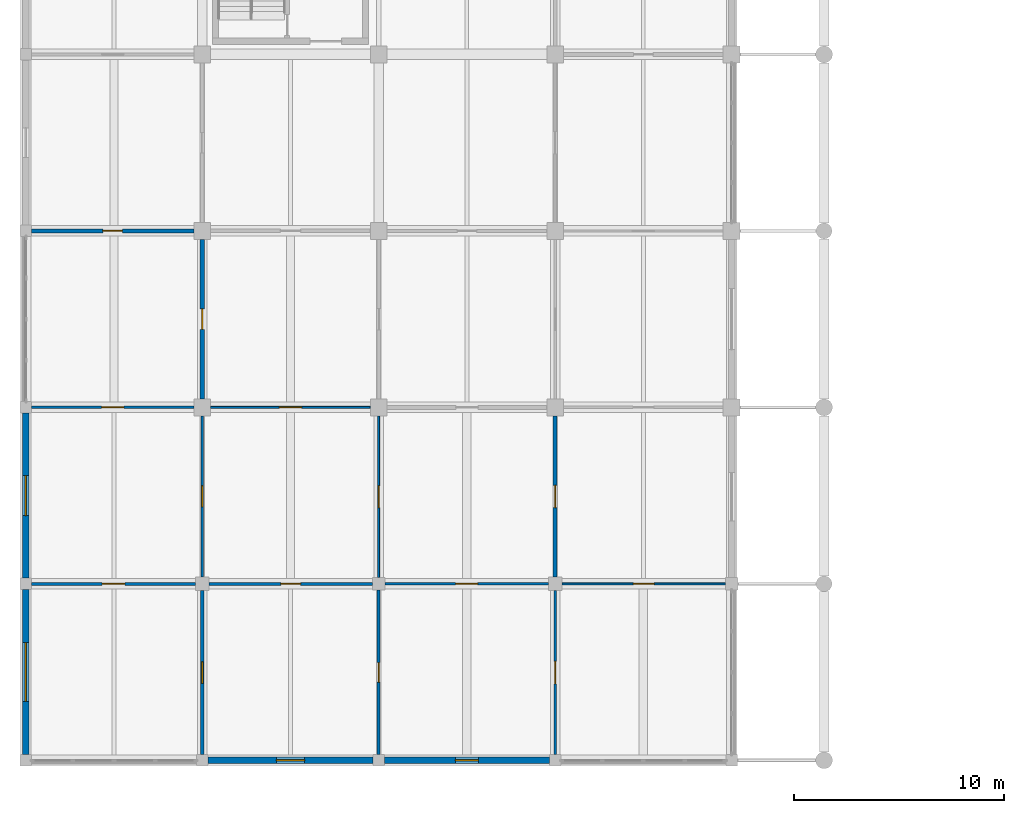
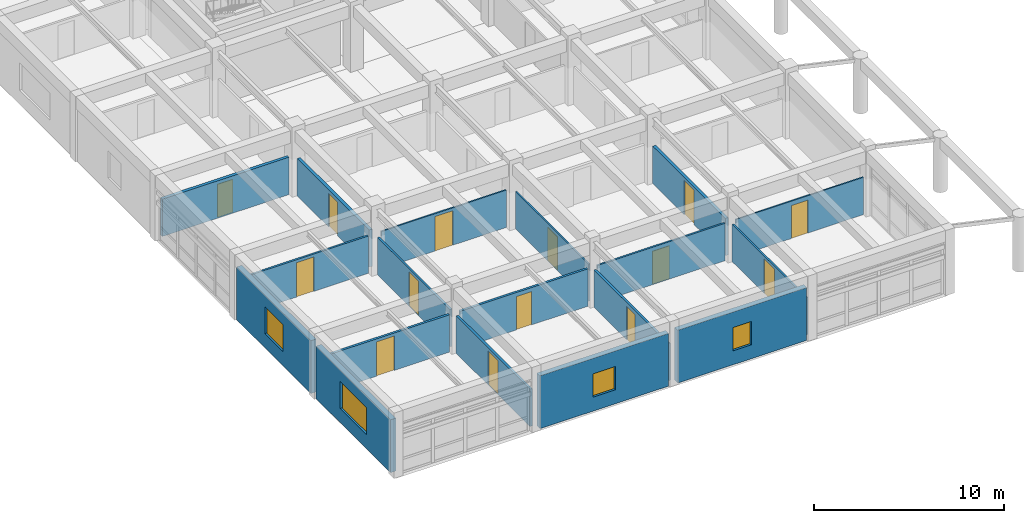
# One storey, part 79 of 99: 18 walls, 14 doors, 4 windows, 18 openings.
"""IFC4 building model written with IfcOpenShell, lengths in metres."""

from ifc_helpers import new_model, si_unit, direction, frame, frame_2d, origin, place, context, subcontext, project, spatial, rectangle, extrude, material, layer, layer_set, type_object, element, fill, save


model = new_model("IFC4")

# Units and contexts
model_context = context("Model", 3, precision=1e-05, world=origin(), true_north=direction((0.0, 1.0)))
body_context = subcontext(model_context, "Body", "Model", "MODEL_VIEW")
ifc_project = project(units=[si_unit("LENGTHUNIT", "METRE"), si_unit("AREAUNIT", "SQUARE_METRE"), si_unit("VOLUMEUNIT", "CUBIC_METRE"), si_unit("PLANEANGLEUNIT", "RADIAN"), si_unit("MASSUNIT", "GRAM", prefix="KILO")], contexts=[model_context])

# Site, building, storey
site_placement = place(None, origin())
site = spatial("IfcSite", under=ifc_project, at=site_placement, CompositionType="ELEMENT")
building_placement = place(site_placement, origin())
building = spatial("IfcBuilding", under=site, at=building_placement, Name="Porcellanite Civic Hall", CompositionType="ELEMENT")
storey_placement = place(building_placement, frame((0.0, 0.0, 5.760009765625)))
storey = spatial("IfcBuildingStorey", under=building, at=storey_placement, Name="L01", CompositionType="ELEMENT", Elevation=5.760009765625)

# Wall, opening, window
ifc_material_1 = material(Name="Precast concrete N40 (40 MPa)", Category="concrete")
ifc_layer_1 = layer(ifc_material_1, 0.320068359375)
ifc_layer_set_1 = layer_set([ifc_layer_1], Name="Precast concrete N40 (40 MPa)")
wall_type_1 = type_object("IfcWallType", Name="EW-COM320", PredefinedType="SOLIDWALL", material=ifc_layer_set_1)
wall_1_placement = place(storey_placement, frame((0.0, 0.27587890625, 0.0), z_axis=(0.0, 0.0, 1.0), x_axis=(0.0, 1.0, 0.0)))
wall_1 = element("IfcWall", 1, at=wall_1_placement, inside=storey, type_object=wall_type_1, Name="Exterior wall L01 W 1-1", PredefinedType="SOLIDWALL", context=body_context, shape_type="SweptSolid", body=[
    extrude(rectangle(XDim=7.84814453125, YDim=0.320068359375, at=frame_2d((3.924072265625, 0.0))), origin(), (0.0, 0.0, 1.0), 3.39990234375),
])
opening_1_placement = place(wall_1_placement, frame((2.52392578125, 0.0, 0.89990234375)))
opening_1 = element("IfcOpeningElement", 2, at=opening_1_placement, cuts=wall_1, Name="Opening W14", PredefinedType="OPENING", context=body_context, shape_type="SweptSolid", body=[
    extrude(rectangle(XDim=2.800048828125, YDim=1.75, at=frame_2d((1.39990234375, 0.875))), frame((0.0, 0.16015625, 0.0), z_axis=(0.0, -1.0, 0.0), x_axis=(1.0, 0.0, 0.0)), (0.0, 0.0, 1.0), 0.320068359375),
])
ifc_material_2 = material(Name="Cyclone laminated low-E glazing in anodised aluminium frame", Category="aluminium")
window_type_1 = type_object("IfcWindowType", Name="WN-14", PartitioningType="TRIPLE_PANEL_VERTICAL", PredefinedType="WINDOW", material=ifc_material_2)
window_1_placement = place(opening_1_placement, origin())
window_1 = element("IfcWindow", 3, at=window_1_placement, inside=storey, type_object=window_type_1, Name="Window W14 L01 W 1-1", OverallHeight=1.75, OverallWidth=2.800048828125, PartitioningType="SINGLE_PANEL", PredefinedType="WINDOW", context=body_context, shape_type="SweptSolid", body=[
    extrude(rectangle(XDim=2.800048828125, YDim=1.75, at=frame_2d((1.39990234375, 0.875))), frame((0.0, 0.030029296875, 0.0), z_axis=(0.0, -1.0, 0.0), x_axis=(1.0, 0.0, 0.0)), (0.0, 0.0, 1.0), 0.06005859375),
])
fill(opening_1, window_1)

wall_2_placement = place(storey_placement, frame((0.0, 8.676025390625, 0.0), z_axis=(0.0, 0.0, 1.0), x_axis=(0.0, 1.0, 0.0)))
wall_2 = element("IfcWall", 4, at=wall_2_placement, inside=storey, type_object=wall_type_1, Name="Exterior wall L01 W 1-2", PredefinedType="SOLIDWALL", context=body_context, shape_type="SweptSolid", body=[
    extrude(rectangle(XDim=7.847900390625, YDim=0.320068359375, at=frame_2d((3.923828125, 0.0))), origin(), (0.0, 0.0, 1.0), 3.39990234375),
])
opening_2_placement = place(wall_2_placement, frame((2.97412109375, 0.0, 0.89990234375)))
opening_2 = element("IfcOpeningElement", 5, at=opening_2_placement, cuts=wall_2, Name="Opening W15", PredefinedType="OPENING", context=body_context, shape_type="SweptSolid", body=[
    extrude(rectangle(XDim=1.89990234375, YDim=1.75, at=frame_2d((0.949951171875, 0.875))), frame((0.0, 0.16015625, 0.0), z_axis=(0.0, -1.0, 0.0), x_axis=(1.0, 0.0, 0.0)), (0.0, 0.0, 1.0), 0.320068359375),
])
ifc_material_3 = material(Name="Cyclone laminated low-E glazing in anodised aluminium frame", Category="aluminium")
window_type_2 = type_object("IfcWindowType", Name="WN-15", PartitioningType="DOUBLE_PANEL_VERTICAL", PredefinedType="WINDOW", material=ifc_material_3)
window_2_placement = place(opening_2_placement, origin())
window_2 = element("IfcWindow", 6, at=window_2_placement, inside=storey, type_object=window_type_2, Name="Window W15 L01 W 1-2", OverallHeight=1.75, OverallWidth=1.89990234375, PartitioningType="SINGLE_PANEL", PredefinedType="WINDOW", context=body_context, shape_type="SweptSolid", body=[
    extrude(rectangle(XDim=1.89990234375, YDim=1.75, at=frame_2d((0.949951171875, 0.875))), frame((0.0, 0.030029296875, 0.0), z_axis=(0.0, -1.0, 0.0), x_axis=(1.0, 0.0, 0.0)), (0.0, 0.0, 1.0), 0.06005859375),
])
fill(opening_2, window_2)

wall_3_placement = place(storey_placement, frame((16.52392578125, 0.0, 0.0), z_axis=(0.0, 0.0, 1.0), x_axis=(-1.0, 0.0, 0.0)))
wall_3 = element("IfcWall", 7, at=wall_3_placement, inside=storey, type_object=wall_type_1, Name="Exterior wall L01 S 2-1", PredefinedType="SOLIDWALL", context=body_context, shape_type="SweptSolid", body=[
    extrude(rectangle(XDim=7.847900390625, YDim=0.320068359375, at=frame_2d((3.923828125, 0.0))), origin(), (0.0, 0.0, 1.0), 3.39990234375),
])
opening_3_placement = place(wall_3_placement, frame((3.2490234375, 0.0, 0.89990234375)))
opening_3 = element("IfcOpeningElement", 8, at=opening_3_placement, cuts=wall_3, Name="Opening W23", PredefinedType="OPENING", context=body_context, shape_type="SweptSolid", body=[
    extrude(rectangle(XDim=1.35009765625, YDim=1.5, at=frame_2d((0.675048828125, 0.75))), frame((0.0, 0.16015625, 0.0), z_axis=(0.0, -1.0, 0.0), x_axis=(1.0, 0.0, 0.0)), (0.0, 0.0, 1.0), 0.320068359375),
])
ifc_material_4 = material(Name="Cyclone laminated low-E glazing in anodised aluminium frame", Category="aluminium")
window_type_3 = type_object("IfcWindowType", Name="WN-23", PartitioningType="SINGLE_PANEL", PredefinedType="WINDOW", material=ifc_material_4)
window_3_placement = place(opening_3_placement, origin())
window_3 = element("IfcWindow", 9, at=window_3_placement, inside=storey, type_object=window_type_3, Name="Window W23 L01 S 2-1", OverallHeight=1.5, OverallWidth=1.35009765625, PartitioningType="SINGLE_PANEL", PredefinedType="WINDOW", context=body_context, shape_type="SweptSolid", body=[
    extrude(rectangle(XDim=1.35009765625, YDim=1.5, at=frame_2d((0.675048828125, 0.75))), frame((0.0, 0.030029296875, 0.0), z_axis=(0.0, -1.0, 0.0), x_axis=(1.0, 0.0, 0.0)), (0.0, 0.0, 1.0), 0.06005859375),
])
fill(opening_3, window_3)

wall_4_placement = place(storey_placement, frame((24.924072265625, 0.0, 0.0), z_axis=(0.0, 0.0, 1.0), x_axis=(-1.0, 0.0, 0.0)))
wall_4 = element("IfcWall", 10, at=wall_4_placement, inside=storey, type_object=wall_type_1, Name="Exterior wall L01 S 3-1", PredefinedType="SOLIDWALL", context=body_context, shape_type="SweptSolid", body=[
    extrude(rectangle(XDim=7.84814453125, YDim=0.320068359375, at=frame_2d((3.924072265625, 0.0))), origin(), (0.0, 0.0, 1.0), 3.39990234375),
])
opening_4_placement = place(wall_4_placement, frame((3.3740234375, 0.0, 0.89990234375)))
opening_4 = element("IfcOpeningElement", 11, at=opening_4_placement, cuts=wall_4, Name="Opening W24", PredefinedType="OPENING", context=body_context, shape_type="SweptSolid", body=[
    extrude(rectangle(XDim=1.10009765625, YDim=1.5, at=frame_2d((0.550048828125, 0.75))), frame((0.0, 0.16015625, 0.0), z_axis=(0.0, -1.0, 0.0), x_axis=(1.0, 0.0, 0.0)), (0.0, 0.0, 1.0), 0.320068359375),
])
ifc_material_5 = material(Name="Cyclone laminated low-E glazing in anodised aluminium frame", Category="aluminium")
window_type_4 = type_object("IfcWindowType", Name="WN-24", PartitioningType="SINGLE_PANEL", PredefinedType="WINDOW", material=ifc_material_5)
window_4_placement = place(opening_4_placement, origin())
window_4 = element("IfcWindow", 12, at=window_4_placement, inside=storey, type_object=window_type_4, Name="Window W24 L01 S 3-1", OverallHeight=1.5, OverallWidth=1.10009765625, PartitioningType="SINGLE_PANEL", PredefinedType="WINDOW", context=body_context, shape_type="SweptSolid", body=[
    extrude(rectangle(XDim=1.10009765625, YDim=1.5, at=frame_2d((0.550048828125, 0.75))), frame((0.0, 0.030029296875, 0.0), z_axis=(0.0, -1.0, 0.0), x_axis=(1.0, 0.0, 0.0)), (0.0, 0.0, 1.0), 0.06005859375),
])
fill(opening_4, window_4)

# Wall, opening, door
ifc_material_6 = material(Name="Insulated acoustic plasterboard on light-gauge steel studs", Category="steel")
ifc_layer_2 = layer(ifc_material_6, 0.087890625)
ifc_layer_set_2 = layer_set([ifc_layer_2], Name="Insulated acoustic plasterboard on light-gauge steel studs")
wall_type_2 = type_object("IfcWallType", Name="IW-PT088", PredefinedType="PARTITIONING", material=ifc_layer_set_2)
wall_5_placement = place(storey_placement, frame((25.527099609375, 8.39990234375, 0.0), z_axis=(0.0, 0.0, 1.0), x_axis=(1.0, 0.0, 0.0)))
wall_5 = element("IfcWall", 13, at=wall_5_placement, inside=storey, type_object=wall_type_2, Name="Partition L01 H 4-1", PredefinedType="PARTITIONING", context=body_context, shape_type="SweptSolid", body=[
    extrude(rectangle(XDim=7.77099609375, YDim=0.087890625, at=frame_2d((3.885498046875, 0.0))), origin(), (0.0, 0.0, 1.0), 2.39990234375),
])
opening_5_placement = place(wall_5_placement, frame((3.381103515625, 0.0, 0.0)))
opening_5 = element("IfcOpeningElement", 14, at=opening_5_placement, cuts=wall_5, Name="Opening D-L01-231", PredefinedType="OPENING", context=body_context, shape_type="SweptSolid", body=[
    extrude(rectangle(XDim=1.010009765625, YDim=2.1201171875, at=frame_2d((0.5048828125, 1.06005859375))), frame((0.0, 0.0439453125, 0.0), z_axis=(0.0, -1.0, 0.0), x_axis=(1.0, 0.0, 0.0)), (0.0, 0.0, 1.0), 0.087890625),
])
ifc_material_7 = material(Name="Solid-core spotted-gum timber", Category="wood")
door_type_1 = type_object("IfcDoorType", Name="DR-RM101", OperationType="NOTDEFINED", PredefinedType="DOOR", material=ifc_material_7)
door_1_placement = place(opening_5_placement, origin())
door_1 = element("IfcDoor", 15, at=door_1_placement, inside=storey, type_object=door_type_1, Name="Interior door D-L01-231", OperationType="SINGLE_SWING_LEFT", OverallHeight=2.1201171875, OverallWidth=1.010009765625, PredefinedType="DOOR", context=body_context, shape_type="SweptSolid", body=[
    extrude(rectangle(XDim=1.010009765625, YDim=2.1201171875, at=frame_2d((0.5048828125, 1.06005859375))), frame((0.0, 0.02490234375, 0.0), z_axis=(0.0, -1.0, 0.0), x_axis=(1.0, 0.0, 0.0)), (0.0, 0.0, 1.0), 0.050048828125),
])
fill(opening_5, door_1)

ifc_material_8 = material(Name="Insulated acoustic plasterboard on light-gauge steel studs", Category="steel")
ifc_layer_3 = layer(ifc_material_8, 0.094970703125)
ifc_layer_set_3 = layer_set([ifc_layer_3], Name="Insulated acoustic plasterboard on light-gauge steel studs")
wall_type_3 = type_object("IfcWallType", Name="IW-PT095", PredefinedType="PARTITIONING", material=ifc_layer_set_3)
wall_6_placement = place(storey_placement, frame((8.802001953125, 16.800048828125, 0.0), z_axis=(0.0, 0.0, 1.0), x_axis=(1.0, 0.0, 0.0)))
wall_6 = element("IfcWall", 16, at=wall_6_placement, inside=storey, type_object=wall_type_3, Name="Partition L01 H 2-2", PredefinedType="PARTITIONING", context=body_context, shape_type="SweptSolid", body=[
    extrude(rectangle(XDim=7.595947265625, YDim=0.094970703125, at=frame_2d((3.7978515625, 0.0))), origin(), (0.0, 0.0, 1.0), 2.39990234375),
])
opening_6_placement = place(wall_6_placement, frame((3.258056640625, 0.0, 0.0)))
opening_6 = element("IfcOpeningElement", 17, at=opening_6_placement, cuts=wall_6, Name="Opening D-L01-260", PredefinedType="OPENING", context=body_context, shape_type="SweptSolid", body=[
    extrude(rectangle(XDim=1.080078125, YDim=2.219970703125, at=frame_2d((0.5400390625, 1.10986328125))), frame((0.0, 0.04736328125, 0.0), z_axis=(0.0, -1.0, 0.0), x_axis=(1.0, 0.0, 0.0)), (0.0, 0.0, 1.0), 0.094970703125),
])
ifc_material_9 = material(Name="Solid-core spotted-gum timber", Category="wood")
door_type_2 = type_object("IfcDoorType", Name="DR-RM108", OperationType="NOTDEFINED", PredefinedType="DOOR", material=ifc_material_9)
door_2_placement = place(opening_6_placement, origin())
door_2 = element("IfcDoor", 18, at=door_2_placement, inside=storey, type_object=door_type_2, Name="Interior door D-L01-260", OperationType="SINGLE_SWING_RIGHT", OverallHeight=2.219970703125, OverallWidth=1.080078125, PredefinedType="DOOR", context=body_context, shape_type="SweptSolid", body=[
    extrude(rectangle(XDim=1.080078125, YDim=2.219970703125, at=frame_2d((0.5400390625, 1.10986328125))), frame((0.0, 0.02490234375, 0.0), z_axis=(0.0, -1.0, 0.0), x_axis=(1.0, 0.0, 0.0)), (0.0, 0.0, 1.0), 0.050048828125),
])
fill(opening_6, door_2)

wall_7_placement = place(storey_placement, frame((16.800048828125, 8.701904296875, 0.0), z_axis=(0.0, 0.0, 1.0), x_axis=(0.0, 1.0, 0.0)))
wall_7 = element("IfcWall", 19, at=wall_7_placement, inside=storey, type_object=wall_type_3, Name="Partition L01 V 2-2", PredefinedType="PARTITIONING", context=body_context, shape_type="SweptSolid", body=[
    extrude(rectangle(XDim=7.696044921875, YDim=0.094970703125, at=frame_2d((3.84814453125, 0.0))), origin(), (0.0, 0.0, 1.0), 2.39990234375),
])
opening_7_placement = place(wall_7_placement, frame((3.322998046875, 0.0, 0.0)))
opening_7 = element("IfcOpeningElement", 20, at=opening_7_placement, cuts=wall_7, Name="Opening D-L01-282", PredefinedType="OPENING", context=body_context, shape_type="SweptSolid", body=[
    extrude(rectangle(XDim=1.050048828125, YDim=2.1201171875, at=frame_2d((0.52490234375, 1.06005859375))), frame((0.0, 0.04736328125, 0.0), z_axis=(0.0, -1.0, 0.0), x_axis=(1.0, 0.0, 0.0)), (0.0, 0.0, 1.0), 0.094970703125),
])
ifc_material_10 = material(Name="Solid-core spotted-gum timber", Category="wood")
door_type_3 = type_object("IfcDoorType", Name="DR-RM105", OperationType="NOTDEFINED", PredefinedType="DOOR", material=ifc_material_10)
door_3_placement = place(opening_7_placement, origin())
door_3 = element("IfcDoor", 21, at=door_3_placement, inside=storey, type_object=door_type_3, Name="Interior door D-L01-282", OperationType="SINGLE_SWING_RIGHT", OverallHeight=2.1201171875, OverallWidth=1.050048828125, PredefinedType="DOOR", context=body_context, shape_type="SweptSolid", body=[
    extrude(rectangle(XDim=1.050048828125, YDim=2.1201171875, at=frame_2d((0.52490234375, 1.06005859375))), frame((0.0, 0.02490234375, 0.0), z_axis=(0.0, -1.0, 0.0), x_axis=(1.0, 0.0, 0.0)), (0.0, 0.0, 1.0), 0.050048828125),
])
fill(opening_7, door_3)

ifc_material_11 = material(Name="Insulated acoustic plasterboard on light-gauge steel studs", Category="steel")
ifc_layer_4 = layer(ifc_material_11, 0.114990234375)
ifc_layer_set_4 = layer_set([ifc_layer_4], Name="Insulated acoustic plasterboard on light-gauge steel studs")
wall_type_4 = type_object("IfcWallType", Name="IW-PT115", PredefinedType="PARTITIONING", material=ifc_layer_set_4)
wall_8_placement = place(storey_placement, frame((17.10205078125, 8.39990234375, 0.0), z_axis=(0.0, 0.0, 1.0), x_axis=(1.0, 0.0, 0.0)))
wall_8 = element("IfcWall", 22, at=wall_8_placement, inside=storey, type_object=wall_type_4, Name="Partition L01 H 3-1", PredefinedType="PARTITIONING", context=body_context, shape_type="SweptSolid", body=[
    extrude(rectangle(XDim=7.77099609375, YDim=0.114990234375, at=frame_2d((3.885498046875, 0.0))), origin(), (0.0, 0.0, 1.0), 2.39990234375),
])
opening_8_placement = place(wall_8_placement, frame((3.361083984375, 0.0, 0.0)))
opening_8 = element("IfcOpeningElement", 23, at=opening_8_placement, cuts=wall_8, Name="Opening D-L01-230", PredefinedType="OPENING", context=body_context, shape_type="SweptSolid", body=[
    extrude(rectangle(XDim=1.050048828125, YDim=2.1201171875, at=frame_2d((0.52490234375, 1.06005859375))), frame((0.0, 0.0576171875, 0.0), z_axis=(0.0, -1.0, 0.0), x_axis=(1.0, 0.0, 0.0)), (0.0, 0.0, 1.0), 0.114990234375),
])
door_4_placement = place(opening_8_placement, origin())
door_4 = element("IfcDoor", 24, at=door_4_placement, inside=storey, type_object=door_type_3, Name="Interior door D-L01-230", OperationType="SINGLE_SWING_RIGHT", OverallHeight=2.1201171875, OverallWidth=1.050048828125, PredefinedType="DOOR", context=body_context, shape_type="SweptSolid", body=[
    extrude(rectangle(XDim=1.050048828125, YDim=2.1201171875, at=frame_2d((0.52490234375, 1.06005859375))), frame((0.0, 0.02490234375, 0.0), z_axis=(0.0, -1.0, 0.0), x_axis=(1.0, 0.0, 0.0)), (0.0, 0.0, 1.0), 0.050048828125),
])
fill(opening_8, door_4)

wall_9_placement = place(storey_placement, frame((25.199951171875, 0.277099609375, 0.0), z_axis=(0.0, 0.0, 1.0), x_axis=(0.0, 1.0, 0.0)))
wall_9 = element("IfcWall", 25, at=wall_9_placement, inside=storey, type_object=wall_type_4, Name="Partition L01 V 3-1", PredefinedType="PARTITIONING", context=body_context, shape_type="SweptSolid", body=[
    extrude(rectangle(XDim=7.7958984375, YDim=0.114990234375, at=frame_2d((3.89794921875, 0.0))), origin(), (0.0, 0.0, 1.0), 2.39990234375),
])
opening_9_placement = place(wall_9_placement, frame((3.35791015625, 0.0, 0.0)))
opening_9 = element("IfcOpeningElement", 26, at=opening_9_placement, cuts=wall_9, Name="Opening D-L01-286", PredefinedType="OPENING", context=body_context, shape_type="SweptSolid", body=[
    extrude(rectangle(XDim=1.080078125, YDim=2.219970703125, at=frame_2d((0.5400390625, 1.10986328125))), frame((0.0, 0.0576171875, 0.0), z_axis=(0.0, -1.0, 0.0), x_axis=(1.0, 0.0, 0.0)), (0.0, 0.0, 1.0), 0.114990234375),
])
door_5_placement = place(opening_9_placement, origin())
door_5 = element("IfcDoor", 27, at=door_5_placement, inside=storey, type_object=door_type_2, Name="Interior door D-L01-286", OperationType="SINGLE_SWING_RIGHT", OverallHeight=2.219970703125, OverallWidth=1.080078125, PredefinedType="DOOR", context=body_context, shape_type="SweptSolid", body=[
    extrude(rectangle(XDim=1.080078125, YDim=2.219970703125, at=frame_2d((0.5400390625, 1.10986328125))), frame((0.0, 0.02490234375, 0.0), z_axis=(0.0, -1.0, 0.0), x_axis=(1.0, 0.0, 0.0)), (0.0, 0.0, 1.0), 0.050048828125),
])
fill(opening_9, door_5)

ifc_material_12 = material(Name="Insulated acoustic plasterboard on light-gauge steel studs", Category="steel")
ifc_layer_5 = layer(ifc_material_12, 0.125)
ifc_layer_set_5 = layer_set([ifc_layer_5], Name="Insulated acoustic plasterboard on light-gauge steel studs")
wall_type_5 = type_object("IfcWallType", Name="IW-PT125", PredefinedType="PARTITIONING", material=ifc_layer_set_5)
wall_10_placement = place(storey_placement, frame((0.277099609375, 16.800048828125, 0.0), z_axis=(0.0, 0.0, 1.0), x_axis=(1.0, 0.0, 0.0)))
wall_10 = element("IfcWall", 28, at=wall_10_placement, inside=storey, type_object=wall_type_5, Name="Partition L01 H 1-2", PredefinedType="PARTITIONING", context=body_context, shape_type="SweptSolid", body=[
    extrude(rectangle(XDim=7.720947265625, YDim=0.125, at=frame_2d((3.8603515625, 0.0))), origin(), (0.0, 0.0, 1.0), 2.39990234375),
])
opening_10_placement = place(wall_10_placement, frame((3.330078125, 0.0, 0.0)))
opening_10 = element("IfcOpeningElement", 29, at=opening_10_placement, cuts=wall_10, Name="Opening D-L01-222", PredefinedType="OPENING", context=body_context, shape_type="SweptSolid", body=[
    extrude(rectangle(XDim=1.06005859375, YDim=2.219970703125, at=frame_2d((0.530029296875, 1.10986328125))), frame((0.0, 0.0625, 0.0), z_axis=(0.0, -1.0, 0.0), x_axis=(1.0, 0.0, 0.0)), (0.0, 0.0, 1.0), 0.125),
])
ifc_material_13 = material(Name="Solid-core spotted-gum timber", Category="wood")
door_type_4 = type_object("IfcDoorType", Name="DR-RM106", OperationType="NOTDEFINED", PredefinedType="DOOR", material=ifc_material_13)
door_6_placement = place(opening_10_placement, origin())
door_6 = element("IfcDoor", 30, at=door_6_placement, inside=storey, type_object=door_type_4, Name="Interior door D-L01-222", OperationType="SINGLE_SWING_RIGHT", OverallHeight=2.219970703125, OverallWidth=1.06005859375, PredefinedType="DOOR", context=body_context, shape_type="SweptSolid", body=[
    extrude(rectangle(XDim=1.06005859375, YDim=2.219970703125, at=frame_2d((0.530029296875, 1.10986328125))), frame((0.0, 0.02490234375, 0.0), z_axis=(0.0, -1.0, 0.0), x_axis=(1.0, 0.0, 0.0)), (0.0, 0.0, 1.0), 0.050048828125),
])
fill(opening_10, door_6)

wall_11_placement = place(storey_placement, frame((8.39990234375, 8.72705078125, 0.0), z_axis=(0.0, 0.0, 1.0), x_axis=(0.0, 1.0, 0.0)))
wall_11 = element("IfcWall", 31, at=wall_11_placement, inside=storey, type_object=wall_type_5, Name="Partition L01 V 1-2", PredefinedType="PARTITIONING", context=body_context, shape_type="SweptSolid", body=[
    extrude(rectangle(XDim=7.6708984375, YDim=0.125, at=frame_2d((3.83544921875, 0.0))), origin(), (0.0, 0.0, 1.0), 2.39990234375),
])
opening_11_placement = place(wall_11_placement, frame((3.3359375, 0.0, 0.0)))
opening_11 = element("IfcOpeningElement", 32, at=opening_11_placement, cuts=wall_11, Name="Opening D-L01-277", PredefinedType="OPENING", context=body_context, shape_type="SweptSolid", body=[
    extrude(rectangle(XDim=1.0, YDim=2.199951171875, at=frame_2d((0.5, 1.10009765625))), frame((0.0, 0.0625, 0.0), z_axis=(0.0, -1.0, 0.0), x_axis=(1.0, 0.0, 0.0)), (0.0, 0.0, 1.0), 0.125),
])
ifc_material_14 = material(Name="Solid-core spotted-gum timber", Category="wood")
door_type_5 = type_object("IfcDoorType", Name="DR-RM100", OperationType="NOTDEFINED", PredefinedType="DOOR", material=ifc_material_14)
door_7_placement = place(opening_11_placement, origin())
door_7 = element("IfcDoor", 33, at=door_7_placement, inside=storey, type_object=door_type_5, Name="Interior door D-L01-277", OperationType="SINGLE_SWING_LEFT", OverallHeight=2.199951171875, OverallWidth=1.0, PredefinedType="DOOR", context=body_context, shape_type="SweptSolid", body=[
    extrude(rectangle(XDim=1.0, YDim=2.199951171875, at=frame_2d((0.5, 1.10009765625))), frame((0.0, 0.02490234375, 0.0), z_axis=(0.0, -1.0, 0.0), x_axis=(1.0, 0.0, 0.0)), (0.0, 0.0, 1.0), 0.050048828125),
])
fill(opening_11, door_7)

ifc_material_15 = material(Name="Insulated acoustic plasterboard on light-gauge steel studs", Category="steel")
ifc_layer_6 = layer(ifc_material_15, 0.14501953125)
ifc_layer_set_6 = layer_set([ifc_layer_6], Name="Insulated acoustic plasterboard on light-gauge steel studs")
wall_type_6 = type_object("IfcWallType", Name="IW-PT145", PredefinedType="PARTITIONING", material=ifc_layer_set_6)
wall_12_placement = place(storey_placement, frame((8.72705078125, 8.39990234375, 0.0), z_axis=(0.0, 0.0, 1.0), x_axis=(1.0, 0.0, 0.0)))
wall_12 = element("IfcWall", 34, at=wall_12_placement, inside=storey, type_object=wall_type_6, Name="Partition L01 H 2-1", PredefinedType="PARTITIONING", context=body_context, shape_type="SweptSolid", body=[
    extrude(rectangle(XDim=7.77099609375, YDim=0.14501953125, at=frame_2d((3.885498046875, 0.0))), origin(), (0.0, 0.0, 1.0), 2.39990234375),
])
opening_12_placement = place(wall_12_placement, frame((3.4150390625, 0.0, 0.0)))
opening_12 = element("IfcOpeningElement", 35, at=opening_12_placement, cuts=wall_12, Name="Opening D-L01-228", PredefinedType="OPENING", context=body_context, shape_type="SweptSolid", body=[
    extrude(rectangle(XDim=0.93994140625, YDim=2.14990234375, at=frame_2d((0.469970703125, 1.074951171875))), frame((0.0, 0.072509765625, 0.0), z_axis=(0.0, -1.0, 0.0), x_axis=(1.0, 0.0, 0.0)), (0.0, 0.0, 1.0), 0.14501953125),
])
ifc_material_16 = material(Name="Solid-core spotted-gum timber", Category="wood")
door_type_6 = type_object("IfcDoorType", Name="DR-RM094", OperationType="NOTDEFINED", PredefinedType="DOOR", material=ifc_material_16)
door_8_placement = place(opening_12_placement, origin())
door_8 = element("IfcDoor", 36, at=door_8_placement, inside=storey, type_object=door_type_6, Name="Interior door D-L01-228", OperationType="SINGLE_SWING_RIGHT", OverallHeight=2.14990234375, OverallWidth=0.93994140625, PredefinedType="DOOR", context=body_context, shape_type="SweptSolid", body=[
    extrude(rectangle(XDim=0.93994140625, YDim=2.14990234375, at=frame_2d((0.469970703125, 1.074951171875))), frame((0.0, 0.02490234375, 0.0), z_axis=(0.0, -1.0, 0.0), x_axis=(1.0, 0.0, 0.0)), (0.0, 0.0, 1.0), 0.050048828125),
])
fill(opening_12, door_8)

wall_13_placement = place(storey_placement, frame((16.800048828125, 0.277099609375, 0.0), z_axis=(0.0, 0.0, 1.0), x_axis=(0.0, 1.0, 0.0)))
wall_13 = element("IfcWall", 37, at=wall_13_placement, inside=storey, type_object=wall_type_6, Name="Partition L01 V 2-1", PredefinedType="PARTITIONING", context=body_context, shape_type="SweptSolid", body=[
    extrude(rectangle(XDim=7.82080078125, YDim=0.14501953125, at=frame_2d((3.910400390625, 0.0))), origin(), (0.0, 0.0, 1.0), 2.39990234375),
])
opening_13_placement = place(wall_13_placement, frame((3.449951171875, 0.0, 0.0)))
opening_13 = element("IfcOpeningElement", 38, at=opening_13_placement, cuts=wall_13, Name="Opening D-L01-281", PredefinedType="OPENING", context=body_context, shape_type="SweptSolid", body=[
    extrude(rectangle(XDim=0.919921875, YDim=2.14990234375, at=frame_2d((0.4599609375, 1.074951171875))), frame((0.0, 0.072509765625, 0.0), z_axis=(0.0, -1.0, 0.0), x_axis=(1.0, 0.0, 0.0)), (0.0, 0.0, 1.0), 0.14501953125),
])
ifc_material_17 = material(Name="Solid-core spotted-gum timber", Category="wood")
door_type_7 = type_object("IfcDoorType", Name="DR-RM092", OperationType="NOTDEFINED", PredefinedType="DOOR", material=ifc_material_17)
door_9_placement = place(opening_13_placement, origin())
door_9 = element("IfcDoor", 39, at=door_9_placement, inside=storey, type_object=door_type_7, Name="Interior door D-L01-281", OperationType="SINGLE_SWING_LEFT", OverallHeight=2.14990234375, OverallWidth=0.919921875, PredefinedType="DOOR", context=body_context, shape_type="SweptSolid", body=[
    extrude(rectangle(XDim=0.919921875, YDim=2.14990234375, at=frame_2d((0.4599609375, 1.074951171875))), frame((0.0, 0.02490234375, 0.0), z_axis=(0.0, -1.0, 0.0), x_axis=(1.0, 0.0, 0.0)), (0.0, 0.0, 1.0), 0.050048828125),
])
fill(opening_13, door_9)

ifc_material_18 = material(Name="Insulated acoustic plasterboard on light-gauge steel studs", Category="steel")
ifc_layer_7 = layer(ifc_material_18, 0.18505859375)
ifc_layer_set_7 = layer_set([ifc_layer_7], Name="Insulated acoustic plasterboard on light-gauge steel studs")
wall_type_7 = type_object("IfcWallType", Name="IW-PT185", PredefinedType="PARTITIONING", material=ifc_layer_set_7)
wall_14_placement = place(storey_placement, frame((25.199951171875, 8.72705078125, 0.0), z_axis=(0.0, 0.0, 1.0), x_axis=(0.0, 1.0, 0.0)))
wall_14 = element("IfcWall", 40, at=wall_14_placement, inside=storey, type_object=wall_type_7, Name="Partition L01 V 3-2", PredefinedType="PARTITIONING", context=body_context, shape_type="SweptSolid", body=[
    extrude(rectangle(XDim=7.6708984375, YDim=0.18505859375, at=frame_2d((3.83544921875, 0.0))), origin(), (0.0, 0.0, 1.0), 2.39990234375),
])
opening_14_placement = place(wall_14_placement, frame((3.305908203125, 0.0, 0.0)))
opening_14 = element("IfcOpeningElement", 41, at=opening_14_placement, cuts=wall_14, Name="Opening D-L01-287", PredefinedType="OPENING", context=body_context, shape_type="SweptSolid", body=[
    extrude(rectangle(XDim=1.06005859375, YDim=2.219970703125, at=frame_2d((0.530029296875, 1.10986328125))), frame((0.0, 0.092529296875, 0.0), z_axis=(0.0, -1.0, 0.0), x_axis=(1.0, 0.0, 0.0)), (0.0, 0.0, 1.0), 0.18505859375),
])
door_10_placement = place(opening_14_placement, origin())
door_10 = element("IfcDoor", 42, at=door_10_placement, inside=storey, type_object=door_type_4, Name="Interior door D-L01-287", OperationType="SINGLE_SWING_LEFT", OverallHeight=2.219970703125, OverallWidth=1.06005859375, PredefinedType="DOOR", context=body_context, shape_type="SweptSolid", body=[
    extrude(rectangle(XDim=1.06005859375, YDim=2.219970703125, at=frame_2d((0.530029296875, 1.10986328125))), frame((0.0, 0.02490234375, 0.0), z_axis=(0.0, -1.0, 0.0), x_axis=(1.0, 0.0, 0.0)), (0.0, 0.0, 1.0), 0.050048828125),
])
fill(opening_14, door_10)

ifc_material_19 = material(Name="Insulated acoustic plasterboard on light-gauge steel studs", Category="steel")
ifc_layer_8 = layer(ifc_material_19, 0.195068359375)
ifc_layer_set_8 = layer_set([ifc_layer_8], Name="Insulated acoustic plasterboard on light-gauge steel studs")
wall_type_8 = type_object("IfcWallType", Name="IW-PT195", PredefinedType="PARTITIONING", material=ifc_layer_set_8)
wall_15_placement = place(storey_placement, frame((0.277099609375, 25.199951171875, 0.0), z_axis=(0.0, 0.0, 1.0), x_axis=(1.0, 0.0, 0.0)))
wall_15 = element("IfcWall", 43, at=wall_15_placement, inside=storey, type_object=wall_type_8, Name="Partition L01 H 1-3", PredefinedType="PARTITIONING", context=body_context, shape_type="SweptSolid", body=[
    extrude(rectangle(XDim=7.720947265625, YDim=0.195068359375, at=frame_2d((3.8603515625, 0.0))), origin(), (0.0, 0.0, 1.0), 2.39990234375),
])
opening_15_placement = place(wall_15_placement, frame((3.39599609375, 0.0, 0.0)))
opening_15 = element("IfcOpeningElement", 44, at=opening_15_placement, cuts=wall_15, Name="Opening D-L01-259", PredefinedType="OPENING", context=body_context, shape_type="SweptSolid", body=[
    extrude(rectangle(XDim=0.929931640625, YDim=2.1201171875, at=frame_2d((0.46484375, 1.06005859375))), frame((0.0, 0.09765625, 0.0), z_axis=(0.0, -1.0, 0.0), x_axis=(1.0, 0.0, 0.0)), (0.0, 0.0, 1.0), 0.195068359375),
])
ifc_material_20 = material(Name="Solid-core spotted-gum timber", Category="wood")
door_type_8 = type_object("IfcDoorType", Name="DR-RM093", OperationType="NOTDEFINED", PredefinedType="DOOR", material=ifc_material_20)
door_11_placement = place(opening_15_placement, origin())
door_11 = element("IfcDoor", 45, at=door_11_placement, inside=storey, type_object=door_type_8, Name="Interior door D-L01-259", OperationType="SINGLE_SWING_LEFT", OverallHeight=2.1201171875, OverallWidth=0.929931640625, PredefinedType="DOOR", context=body_context, shape_type="SweptSolid", body=[
    extrude(rectangle(XDim=0.929931640625, YDim=2.1201171875, at=frame_2d((0.46484375, 1.06005859375))), frame((0.0, 0.02490234375, 0.0), z_axis=(0.0, -1.0, 0.0), x_axis=(1.0, 0.0, 0.0)), (0.0, 0.0, 1.0), 0.050048828125),
])
fill(opening_15, door_11)

wall_16_placement = place(storey_placement, frame((8.39990234375, 17.201904296875, 0.0), z_axis=(0.0, 0.0, 1.0), x_axis=(0.0, 1.0, 0.0)))
wall_16 = element("IfcWall", 46, at=wall_16_placement, inside=storey, type_object=wall_type_8, Name="Partition L01 V 1-3", PredefinedType="PARTITIONING", context=body_context, shape_type="SweptSolid", body=[
    extrude(rectangle(XDim=7.59619140625, YDim=0.195068359375, at=frame_2d((3.798095703125, 0.0))), origin(), (0.0, 0.0, 1.0), 2.39990234375),
])
opening_16_placement = place(wall_16_placement, frame((3.30810546875, 0.0, 0.0)))
opening_16 = element("IfcOpeningElement", 47, at=opening_16_placement, cuts=wall_16, Name="Opening D-L01-278", PredefinedType="OPENING", context=body_context, shape_type="SweptSolid", body=[
    extrude(rectangle(XDim=0.97998046875, YDim=2.179931640625, at=frame_2d((0.489990234375, 1.08984375))), frame((0.0, 0.09765625, 0.0), z_axis=(0.0, -1.0, 0.0), x_axis=(1.0, 0.0, 0.0)), (0.0, 0.0, 1.0), 0.195068359375),
])
ifc_material_21 = material(Name="Solid-core spotted-gum timber", Category="wood")
door_type_9 = type_object("IfcDoorType", Name="DR-RM098", OperationType="NOTDEFINED", PredefinedType="DOOR", material=ifc_material_21)
door_12_placement = place(opening_16_placement, origin())
door_12 = element("IfcDoor", 48, at=door_12_placement, inside=storey, type_object=door_type_9, Name="Interior door D-L01-278", OperationType="SINGLE_SWING_RIGHT", OverallHeight=2.179931640625, OverallWidth=0.97998046875, PredefinedType="DOOR", context=body_context, shape_type="SweptSolid", body=[
    extrude(rectangle(XDim=0.97998046875, YDim=2.179931640625, at=frame_2d((0.489990234375, 1.08984375))), frame((0.0, 0.02490234375, 0.0), z_axis=(0.0, -1.0, 0.0), x_axis=(1.0, 0.0, 0.0)), (0.0, 0.0, 1.0), 0.050048828125),
])
fill(opening_16, door_12)

ifc_material_22 = material(Name="Acoustic timber-veneered operable panel system", Category="wood")
ifc_layer_9 = layer(ifc_material_22, 0.14990234375)
ifc_layer_set_9 = layer_set([ifc_layer_9], Name="Acoustic timber-veneered operable panel system")
wall_type_9 = type_object("IfcWallType", Name="MW-OP150", PredefinedType="MOVABLE", material=ifc_layer_set_9)
wall_17_placement = place(storey_placement, frame((0.277099609375, 8.39990234375, 0.0), z_axis=(0.0, 0.0, 1.0), x_axis=(1.0, 0.0, 0.0)))
wall_17 = element("IfcWall", 49, at=wall_17_placement, inside=storey, type_object=wall_type_9, Name="Partition L01 H 1-1", PredefinedType="MOVABLE", context=body_context, shape_type="SweptSolid", body=[
    extrude(rectangle(XDim=7.7958984375, YDim=0.14990234375, at=frame_2d((3.89794921875, 0.0))), origin(), (0.0, 0.0, 1.0), 2.39990234375),
])
opening_17_placement = place(wall_17_placement, frame((3.35791015625, 0.0, 0.0)))
opening_17 = element("IfcOpeningElement", 50, at=opening_17_placement, cuts=wall_17, Name="Opening D-L01-221", PredefinedType="OPENING", context=body_context, shape_type="SweptSolid", body=[
    extrude(rectangle(XDim=1.080078125, YDim=2.219970703125, at=frame_2d((0.5400390625, 1.10986328125))), frame((0.0, 0.074951171875, 0.0), z_axis=(0.0, -1.0, 0.0), x_axis=(1.0, 0.0, 0.0)), (0.0, 0.0, 1.0), 0.14990234375),
])
door_13_placement = place(opening_17_placement, origin())
door_13 = element("IfcDoor", 51, at=door_13_placement, inside=storey, type_object=door_type_2, Name="Interior door D-L01-221", OperationType="SINGLE_SWING_LEFT", OverallHeight=2.219970703125, OverallWidth=1.080078125, PredefinedType="DOOR", context=body_context, shape_type="SweptSolid", body=[
    extrude(rectangle(XDim=1.080078125, YDim=2.219970703125, at=frame_2d((0.5400390625, 1.10986328125))), frame((0.0, 0.02490234375, 0.0), z_axis=(0.0, -1.0, 0.0), x_axis=(1.0, 0.0, 0.0)), (0.0, 0.0, 1.0), 0.050048828125),
])
fill(opening_17, door_13)

wall_18_placement = place(storey_placement, frame((8.39990234375, 0.277099609375, 0.0), z_axis=(0.0, 0.0, 1.0), x_axis=(0.0, 1.0, 0.0)))
wall_18 = element("IfcWall", 52, at=wall_18_placement, inside=storey, type_object=wall_type_9, Name="Partition L01 V 1-1", PredefinedType="MOVABLE", context=body_context, shape_type="SweptSolid", body=[
    extrude(rectangle(XDim=7.7958984375, YDim=0.14990234375, at=frame_2d((3.89794921875, 0.0))), origin(), (0.0, 0.0, 1.0), 2.39990234375),
])
opening_18_placement = place(wall_18_placement, frame((3.387939453125, 0.0, 0.0)))
opening_18 = element("IfcOpeningElement", 53, at=opening_18_placement, cuts=wall_18, Name="Opening D-L01-276", PredefinedType="OPENING", context=body_context, shape_type="SweptSolid", body=[
    extrude(rectangle(XDim=1.02001953125, YDim=2.199951171875, at=frame_2d((0.510009765625, 1.10009765625))), frame((0.0, 0.074951171875, 0.0), z_axis=(0.0, -1.0, 0.0), x_axis=(1.0, 0.0, 0.0)), (0.0, 0.0, 1.0), 0.14990234375),
])
ifc_material_23 = material(Name="Solid-core spotted-gum timber", Category="wood")
door_type_10 = type_object("IfcDoorType", Name="DR-RM102", OperationType="NOTDEFINED", PredefinedType="DOOR", material=ifc_material_23)
door_14_placement = place(opening_18_placement, origin())
door_14 = element("IfcDoor", 54, at=door_14_placement, inside=storey, type_object=door_type_10, Name="Interior door D-L01-276", OperationType="SINGLE_SWING_RIGHT", OverallHeight=2.199951171875, OverallWidth=1.02001953125, PredefinedType="DOOR", context=body_context, shape_type="SweptSolid", body=[
    extrude(rectangle(XDim=1.02001953125, YDim=2.199951171875, at=frame_2d((0.510009765625, 1.10009765625))), frame((0.0, 0.02490234375, 0.0), z_axis=(0.0, -1.0, 0.0), x_axis=(1.0, 0.0, 0.0)), (0.0, 0.0, 1.0), 0.050048828125),
])
fill(opening_18, door_14)

save(model, "model.ifc")
